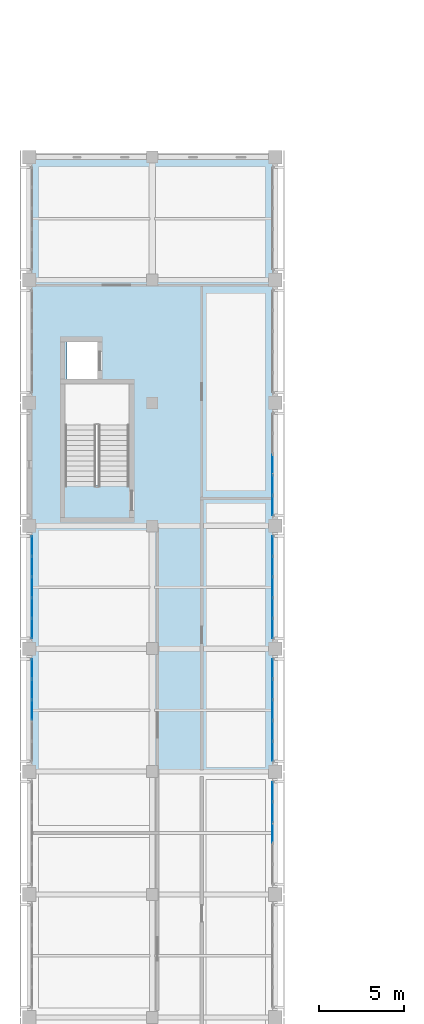
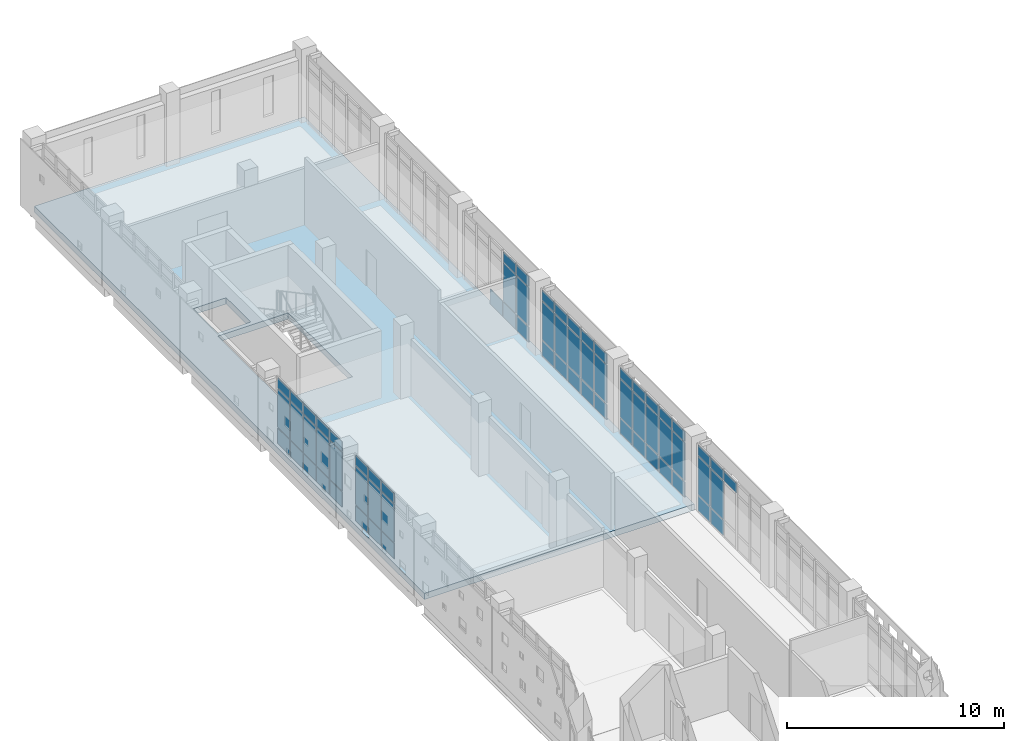
# One storey, part 16 of 33: 68 plates, 1 slab, 6 elements without a shape of their own.
"""IFC4 building model written with IfcOpenShell, lengths in metres."""

from ifc_helpers import new_model, si_unit, direction, frame, origin, origin_2d, place, context, subcontext, project, spatial, polyline, rectangle, outline, extrude, material, layer, layer_set, type_object, element, aggregate, save


model = new_model("IFC4")

# Units and contexts
model_context = context("Model", 3, precision=1e-05, world=origin(), true_north=direction((0.0, 1.0)))
body_context = subcontext(model_context, "Body", "Model", "MODEL_VIEW")
ifc_project = project(units=[si_unit("LENGTHUNIT", "METRE"), si_unit("AREAUNIT", "SQUARE_METRE"), si_unit("VOLUMEUNIT", "CUBIC_METRE"), si_unit("PLANEANGLEUNIT", "RADIAN"), si_unit("MASSUNIT", "GRAM", prefix="KILO")], contexts=[model_context])

# Site, building, storey
site_placement = place(None, origin())
site = spatial("IfcSite", under=ifc_project, at=site_placement, CompositionType="ELEMENT")
building_placement = place(site_placement, origin())
building = spatial("IfcBuilding", under=site, at=building_placement, Name="Valkovuoma Quantum and Materials Research Institute", CompositionType="ELEMENT")
storey_placement = place(building_placement, frame((0.0, 0.0, 21.43994140625)))
storey = spatial("IfcBuildingStorey", under=building, at=storey_placement, Name="L05", CompositionType="ELEMENT", Elevation=21.43994140625)

# Curtain wall, plates
ifc_material_1 = material(Name="Thermally broken aluminium and triple low-E glazing", Category="aluminium")
ifc_layer_1 = layer(ifc_material_1, 0.219970703125)
ifc_layer_set_1 = layer_set([ifc_layer_1], Name="Thermally broken aluminium and triple low-E glazing")
curtain_wall_type = type_object("IfcCurtainWallType", Name="CW-CW-01", PredefinedType="NOTDEFINED", material=ifc_layer_set_1)
curtain_wall_1_placement = place(storey_placement, origin())
curtain_wall_1 = element("IfcCurtainWall", 1, at=curtain_wall_1_placement, inside=storey, type_object=curtain_wall_type, Name="L05 curtain wall 064", PredefinedType="NOTDEFINED")
ifc_material_2 = material(Name="Triple low-E argon insulating glass", Category="glass")
ifc_layer_2 = layer(ifc_material_2, 0.035888671875)
ifc_layer_set_2 = layer_set([ifc_layer_2], Name="Triple low-E argon insulating glass")
plate_type_1 = type_object("IfcPlateType", Name="CWPanel-CWP-01", PredefinedType="CURTAIN_PANEL", material=ifc_layer_set_2)
plate_1_placement = place(storey_placement, frame((0.14990234375, 61.199951171875, 0.06494140625), z_axis=(0.0, 0.0, 1.0), x_axis=(0.0, 1.0, 0.0)))
plate_1 = element("IfcPlate", 2, at=plate_1_placement, type_object=plate_type_1, Name="CW-01 panel 3.1", PredefinedType="CURTAIN_PANEL", context=body_context, shape_type="SweptSolid", body=[
    extrude(rectangle(XDim=1.152099609375, YDim=0.035888671875, at=origin_2d()), origin(), (0.0, 0.0, 1.0), 0.8525390625),
])
plate_2_placement = place(storey_placement, frame((0.14990234375, 61.199951171875, 0.982666015625), z_axis=(0.0, 0.0, 1.0), x_axis=(0.0, 1.0, 0.0)))
plate_2 = element("IfcPlate", 3, at=plate_2_placement, type_object=plate_type_1, Name="CW-01 panel 3.2", PredefinedType="CURTAIN_PANEL", context=body_context, shape_type="SweptSolid", body=[
    extrude(rectangle(XDim=1.152099609375, YDim=0.035888671875, at=origin_2d()), origin(), (0.0, 0.0, 1.0), 2.14501953125),
])
plate_3_placement = place(storey_placement, frame((0.14990234375, 61.199951171875, 3.1923828125), z_axis=(0.0, 0.0, 1.0), x_axis=(0.0, 1.0, 0.0)))
plate_3 = element("IfcPlate", 4, at=plate_3_placement, type_object=plate_type_1, Name="CW-01 panel 3.3", PredefinedType="CURTAIN_PANEL", context=body_context, shape_type="SweptSolid", body=[
    extrude(rectangle(XDim=1.152099609375, YDim=0.035888671875, at=origin_2d()), origin(), (0.0, 0.0, 1.0), 0.552490234375),
])
plate_4_placement = place(storey_placement, frame((0.14990234375, 62.417236328125, 0.06494140625), z_axis=(0.0, 0.0, 1.0), x_axis=(0.0, 1.0, 0.0)))
plate_4 = element("IfcPlate", 5, at=plate_4_placement, type_object=plate_type_1, Name="CW-01 panel 4.1", PredefinedType="CURTAIN_PANEL", context=body_context, shape_type="SweptSolid", body=[
    extrude(rectangle(XDim=1.152099609375, YDim=0.035888671875, at=origin_2d()), origin(), (0.0, 0.0, 1.0), 0.8525390625),
])
plate_5_placement = place(storey_placement, frame((0.14990234375, 62.417236328125, 0.982666015625), z_axis=(0.0, 0.0, 1.0), x_axis=(0.0, 1.0, 0.0)))
plate_5 = element("IfcPlate", 6, at=plate_5_placement, type_object=plate_type_1, Name="CW-01 panel 4.2", PredefinedType="CURTAIN_PANEL", context=body_context, shape_type="SweptSolid", body=[
    extrude(rectangle(XDim=1.152099609375, YDim=0.035888671875, at=origin_2d()), origin(), (0.0, 0.0, 1.0), 2.14501953125),
])
plate_6_placement = place(storey_placement, frame((0.14990234375, 62.417236328125, 3.1923828125), z_axis=(0.0, 0.0, 1.0), x_axis=(0.0, 1.0, 0.0)))
plate_6 = element("IfcPlate", 7, at=plate_6_placement, type_object=plate_type_1, Name="CW-01 panel 4.3", PredefinedType="CURTAIN_PANEL", context=body_context, shape_type="SweptSolid", body=[
    extrude(rectangle(XDim=1.152099609375, YDim=0.035888671875, at=origin_2d()), origin(), (0.0, 0.0, 1.0), 0.552490234375),
])
plate_7_placement = place(storey_placement, frame((0.14990234375, 63.6181640625, 0.06494140625), z_axis=(0.0, 0.0, 1.0), x_axis=(0.0, 1.0, 0.0)))
plate_7 = element("IfcPlate", 8, at=plate_7_placement, type_object=plate_type_1, Name="CW-01 panel 5.1", PredefinedType="CURTAIN_PANEL", context=body_context, shape_type="SweptSolid", body=[
    extrude(rectangle(XDim=1.11962890625, YDim=0.035888671875, at=origin_2d()), origin(), (0.0, 0.0, 1.0), 0.8525390625),
])
plate_8_placement = place(storey_placement, frame((0.14990234375, 63.6181640625, 0.982666015625), z_axis=(0.0, 0.0, 1.0), x_axis=(0.0, 1.0, 0.0)))
plate_8 = element("IfcPlate", 9, at=plate_8_placement, type_object=plate_type_1, Name="CW-01 panel 5.2", PredefinedType="CURTAIN_PANEL", context=body_context, shape_type="SweptSolid", body=[
    extrude(rectangle(XDim=1.11962890625, YDim=0.035888671875, at=origin_2d()), origin(), (0.0, 0.0, 1.0), 2.14501953125),
])
plate_9_placement = place(storey_placement, frame((0.14990234375, 63.6181640625, 3.1923828125), z_axis=(0.0, 0.0, 1.0), x_axis=(0.0, 1.0, 0.0)))
plate_9 = element("IfcPlate", 10, at=plate_9_placement, type_object=plate_type_1, Name="CW-01 panel 5.3", PredefinedType="CURTAIN_PANEL", context=body_context, shape_type="SweptSolid", body=[
    extrude(rectangle(XDim=1.11962890625, YDim=0.035888671875, at=origin_2d()), origin(), (0.0, 0.0, 1.0), 0.552490234375),
])
aggregate(curtain_wall_1, [plate_1, plate_2, plate_3, plate_4, plate_5, plate_6, plate_7, plate_8, plate_9])

curtain_wall_2_placement = place(storey_placement, origin())
curtain_wall_2 = element("IfcCurtainWall", 11, at=curtain_wall_2_placement, inside=storey, type_object=curtain_wall_type, Name="L05 curtain wall 066", PredefinedType="NOTDEFINED")
plate_10_placement = place(storey_placement, frame((0.14990234375, 65.98193359375, 0.06494140625), z_axis=(0.0, 0.0, 1.0), x_axis=(0.0, 1.0, 0.0)))
plate_10 = element("IfcPlate", 12, at=plate_10_placement, type_object=plate_type_1, Name="CW-01 panel 1.1", PredefinedType="CURTAIN_PANEL", context=body_context, shape_type="SweptSolid", body=[
    extrude(rectangle(XDim=1.11962890625, YDim=0.035888671875, at=origin_2d()), origin(), (0.0, 0.0, 1.0), 0.8525390625),
])
plate_11_placement = place(storey_placement, frame((0.14990234375, 65.98193359375, 0.982666015625), z_axis=(0.0, 0.0, 1.0), x_axis=(0.0, 1.0, 0.0)))
plate_11 = element("IfcPlate", 13, at=plate_11_placement, type_object=plate_type_1, Name="CW-01 panel 1.2", PredefinedType="CURTAIN_PANEL", context=body_context, shape_type="SweptSolid", body=[
    extrude(rectangle(XDim=1.11962890625, YDim=0.035888671875, at=origin_2d()), origin(), (0.0, 0.0, 1.0), 2.14501953125),
])
plate_12_placement = place(storey_placement, frame((0.14990234375, 65.98193359375, 3.1923828125), z_axis=(0.0, 0.0, 1.0), x_axis=(0.0, 1.0, 0.0)))
plate_12 = element("IfcPlate", 14, at=plate_12_placement, type_object=plate_type_1, Name="CW-01 panel 1.3", PredefinedType="CURTAIN_PANEL", context=body_context, shape_type="SweptSolid", body=[
    extrude(rectangle(XDim=1.11962890625, YDim=0.035888671875, at=origin_2d()), origin(), (0.0, 0.0, 1.0), 0.552490234375),
])
plate_13_placement = place(storey_placement, frame((0.14990234375, 67.182861328125, 0.06494140625), z_axis=(0.0, 0.0, 1.0), x_axis=(0.0, 1.0, 0.0)))
plate_13 = element("IfcPlate", 15, at=plate_13_placement, type_object=plate_type_1, Name="CW-01 panel 2.1", PredefinedType="CURTAIN_PANEL", context=body_context, shape_type="SweptSolid", body=[
    extrude(rectangle(XDim=1.152099609375, YDim=0.035888671875, at=origin_2d()), origin(), (0.0, 0.0, 1.0), 0.8525390625),
])
plate_14_placement = place(storey_placement, frame((0.14990234375, 67.182861328125, 0.982666015625), z_axis=(0.0, 0.0, 1.0), x_axis=(0.0, 1.0, 0.0)))
plate_14 = element("IfcPlate", 16, at=plate_14_placement, type_object=plate_type_1, Name="CW-01 panel 2.2", PredefinedType="CURTAIN_PANEL", context=body_context, shape_type="SweptSolid", body=[
    extrude(rectangle(XDim=1.152099609375, YDim=0.035888671875, at=origin_2d()), origin(), (0.0, 0.0, 1.0), 2.14501953125),
])
plate_15_placement = place(storey_placement, frame((0.14990234375, 67.182861328125, 3.1923828125), z_axis=(0.0, 0.0, 1.0), x_axis=(0.0, 1.0, 0.0)))
plate_15 = element("IfcPlate", 17, at=plate_15_placement, type_object=plate_type_1, Name="CW-01 panel 2.3", PredefinedType="CURTAIN_PANEL", context=body_context, shape_type="SweptSolid", body=[
    extrude(rectangle(XDim=1.152099609375, YDim=0.035888671875, at=origin_2d()), origin(), (0.0, 0.0, 1.0), 0.552490234375),
])
plate_16_placement = place(storey_placement, frame((0.14990234375, 68.39990234375, 0.06494140625), z_axis=(0.0, 0.0, 1.0), x_axis=(0.0, 1.0, 0.0)))
plate_16 = element("IfcPlate", 18, at=plate_16_placement, type_object=plate_type_1, Name="CW-01 panel 3.1", PredefinedType="CURTAIN_PANEL", context=body_context, shape_type="SweptSolid", body=[
    extrude(rectangle(XDim=1.152099609375, YDim=0.035888671875, at=origin_2d()), origin(), (0.0, 0.0, 1.0), 0.8525390625),
])
plate_17_placement = place(storey_placement, frame((0.14990234375, 68.39990234375, 0.982666015625), z_axis=(0.0, 0.0, 1.0), x_axis=(0.0, 1.0, 0.0)))
plate_17 = element("IfcPlate", 19, at=plate_17_placement, type_object=plate_type_1, Name="CW-01 panel 3.2", PredefinedType="CURTAIN_PANEL", context=body_context, shape_type="SweptSolid", body=[
    extrude(rectangle(XDim=1.152099609375, YDim=0.035888671875, at=origin_2d()), origin(), (0.0, 0.0, 1.0), 2.14501953125),
])
plate_18_placement = place(storey_placement, frame((0.14990234375, 68.39990234375, 3.1923828125), z_axis=(0.0, 0.0, 1.0), x_axis=(0.0, 1.0, 0.0)))
plate_18 = element("IfcPlate", 20, at=plate_18_placement, type_object=plate_type_1, Name="CW-01 panel 3.3", PredefinedType="CURTAIN_PANEL", context=body_context, shape_type="SweptSolid", body=[
    extrude(rectangle(XDim=1.152099609375, YDim=0.035888671875, at=origin_2d()), origin(), (0.0, 0.0, 1.0), 0.552490234375),
])
plate_19_placement = place(storey_placement, frame((0.14990234375, 69.6171875, 0.06494140625), z_axis=(0.0, 0.0, 1.0), x_axis=(0.0, 1.0, 0.0)))
plate_19 = element("IfcPlate", 21, at=plate_19_placement, type_object=plate_type_1, Name="CW-01 panel 4.1", PredefinedType="CURTAIN_PANEL", context=body_context, shape_type="SweptSolid", body=[
    extrude(rectangle(XDim=1.152099609375, YDim=0.035888671875, at=origin_2d()), origin(), (0.0, 0.0, 1.0), 0.8525390625),
])
plate_20_placement = place(storey_placement, frame((0.14990234375, 69.6171875, 0.982666015625), z_axis=(0.0, 0.0, 1.0), x_axis=(0.0, 1.0, 0.0)))
plate_20 = element("IfcPlate", 22, at=plate_20_placement, type_object=plate_type_1, Name="CW-01 panel 4.2", PredefinedType="CURTAIN_PANEL", context=body_context, shape_type="SweptSolid", body=[
    extrude(rectangle(XDim=1.152099609375, YDim=0.035888671875, at=origin_2d()), origin(), (0.0, 0.0, 1.0), 2.14501953125),
])
plate_21_placement = place(storey_placement, frame((0.14990234375, 69.6171875, 3.1923828125), z_axis=(0.0, 0.0, 1.0), x_axis=(0.0, 1.0, 0.0)))
plate_21 = element("IfcPlate", 23, at=plate_21_placement, type_object=plate_type_1, Name="CW-01 panel 4.3", PredefinedType="CURTAIN_PANEL", context=body_context, shape_type="SweptSolid", body=[
    extrude(rectangle(XDim=1.152099609375, YDim=0.035888671875, at=origin_2d()), origin(), (0.0, 0.0, 1.0), 0.552490234375),
])
plate_22_placement = place(storey_placement, frame((0.14990234375, 70.818115234375, 0.06494140625), z_axis=(0.0, 0.0, 1.0), x_axis=(0.0, 1.0, 0.0)))
plate_22 = element("IfcPlate", 24, at=plate_22_placement, type_object=plate_type_1, Name="CW-01 panel 5.1", PredefinedType="CURTAIN_PANEL", context=body_context, shape_type="SweptSolid", body=[
    extrude(rectangle(XDim=1.11962890625, YDim=0.035888671875, at=origin_2d()), origin(), (0.0, 0.0, 1.0), 0.8525390625),
])
plate_23_placement = place(storey_placement, frame((0.14990234375, 70.818115234375, 0.982666015625), z_axis=(0.0, 0.0, 1.0), x_axis=(0.0, 1.0, 0.0)))
plate_23 = element("IfcPlate", 25, at=plate_23_placement, type_object=plate_type_1, Name="CW-01 panel 5.2", PredefinedType="CURTAIN_PANEL", context=body_context, shape_type="SweptSolid", body=[
    extrude(rectangle(XDim=1.11962890625, YDim=0.035888671875, at=origin_2d()), origin(), (0.0, 0.0, 1.0), 2.14501953125),
])
plate_24_placement = place(storey_placement, frame((0.14990234375, 70.818115234375, 3.1923828125), z_axis=(0.0, 0.0, 1.0), x_axis=(0.0, 1.0, 0.0)))
plate_24 = element("IfcPlate", 26, at=plate_24_placement, type_object=plate_type_1, Name="CW-01 panel 5.3", PredefinedType="CURTAIN_PANEL", context=body_context, shape_type="SweptSolid", body=[
    extrude(rectangle(XDim=1.11962890625, YDim=0.035888671875, at=origin_2d()), origin(), (0.0, 0.0, 1.0), 0.552490234375),
])
aggregate(curtain_wall_2, [plate_10, plate_11, plate_12, plate_13, plate_14, plate_15, plate_16, plate_17, plate_18, plate_19, plate_20, plate_21, plate_22, plate_23, plate_24])

curtain_wall_3_placement = place(storey_placement, origin())
curtain_wall_3 = element("IfcCurtainWall", 27, at=curtain_wall_3_placement, inside=storey, type_object=curtain_wall_type, Name="L05 curtain wall 063", PredefinedType="NOTDEFINED")
ifc_material_3 = material(Name="Triple low-E argon insulating glass", Category="glass")
ifc_layer_3 = layer(ifc_material_3, 0.0419921875)
ifc_layer_set_3 = layer_set([ifc_layer_3], Name="Triple low-E argon insulating glass")
plate_type_2 = type_object("IfcPlateType", Name="CWPanel-CWP-02", PredefinedType="CURTAIN_PANEL", material=ifc_layer_set_3)
plate_25_placement = place(storey_placement, frame((14.25, 54.0, 3.1923828125), z_axis=(0.0, 0.0, 1.0), x_axis=(0.0, 1.0, 0.0)))
plate_25 = element("IfcPlate", 28, at=plate_25_placement, type_object=plate_type_2, Name="CW-01 panel 3.3", PredefinedType="CURTAIN_PANEL", context=body_context, shape_type="SweptSolid", body=[
    extrude(rectangle(XDim=1.152099609375, YDim=0.0419921875, at=origin_2d()), origin(), (0.0, 0.0, 1.0), 0.552490234375),
])
plate_26_placement = place(storey_placement, frame((14.25, 55.217041015625, 0.06494140625), z_axis=(0.0, 0.0, 1.0), x_axis=(0.0, 1.0, 0.0)))
plate_26 = element("IfcPlate", 29, at=plate_26_placement, type_object=plate_type_2, Name="CW-01 panel 4.1", PredefinedType="CURTAIN_PANEL", context=body_context, shape_type="SweptSolid", body=[
    extrude(rectangle(XDim=1.152099609375, YDim=0.0419921875, at=origin_2d()), origin(), (0.0, 0.0, 1.0), 0.8525390625),
])
plate_27_placement = place(storey_placement, frame((14.25, 55.217041015625, 0.982666015625), z_axis=(0.0, 0.0, 1.0), x_axis=(0.0, 1.0, 0.0)))
plate_27 = element("IfcPlate", 30, at=plate_27_placement, type_object=plate_type_2, Name="CW-01 panel 4.2", PredefinedType="CURTAIN_PANEL", context=body_context, shape_type="SweptSolid", body=[
    extrude(rectangle(XDim=1.152099609375, YDim=0.0419921875, at=origin_2d()), origin(), (0.0, 0.0, 1.0), 2.14501953125),
])
plate_28_placement = place(storey_placement, frame((14.25, 55.217041015625, 3.1923828125), z_axis=(0.0, 0.0, 1.0), x_axis=(0.0, 1.0, 0.0)))
plate_28 = element("IfcPlate", 31, at=plate_28_placement, type_object=plate_type_2, Name="CW-01 panel 4.3", PredefinedType="CURTAIN_PANEL", context=body_context, shape_type="SweptSolid", body=[
    extrude(rectangle(XDim=1.152099609375, YDim=0.0419921875, at=origin_2d()), origin(), (0.0, 0.0, 1.0), 0.552490234375),
])
plate_29_placement = place(storey_placement, frame((14.25, 56.41796875, 0.06494140625), z_axis=(0.0, 0.0, 1.0), x_axis=(0.0, 1.0, 0.0)))
plate_29 = element("IfcPlate", 32, at=plate_29_placement, type_object=plate_type_2, Name="CW-01 panel 5.1", PredefinedType="CURTAIN_PANEL", context=body_context, shape_type="SweptSolid", body=[
    extrude(rectangle(XDim=1.11962890625, YDim=0.0419921875, at=origin_2d()), origin(), (0.0, 0.0, 1.0), 0.8525390625),
])
plate_30_placement = place(storey_placement, frame((14.25, 56.41796875, 0.982666015625), z_axis=(0.0, 0.0, 1.0), x_axis=(0.0, 1.0, 0.0)))
plate_30 = element("IfcPlate", 33, at=plate_30_placement, type_object=plate_type_2, Name="CW-01 panel 5.2", PredefinedType="CURTAIN_PANEL", context=body_context, shape_type="SweptSolid", body=[
    extrude(rectangle(XDim=1.11962890625, YDim=0.0419921875, at=origin_2d()), origin(), (0.0, 0.0, 1.0), 2.14501953125),
])
plate_31_placement = place(storey_placement, frame((14.25, 56.41796875, 3.1923828125), z_axis=(0.0, 0.0, 1.0), x_axis=(0.0, 1.0, 0.0)))
plate_31 = element("IfcPlate", 34, at=plate_31_placement, type_object=plate_type_2, Name="CW-01 panel 5.3", PredefinedType="CURTAIN_PANEL", context=body_context, shape_type="SweptSolid", body=[
    extrude(rectangle(XDim=1.11962890625, YDim=0.0419921875, at=origin_2d()), origin(), (0.0, 0.0, 1.0), 0.552490234375),
])
aggregate(curtain_wall_3, [plate_25, plate_26, plate_27, plate_28, plate_29, plate_30, plate_31])

curtain_wall_4_placement = place(storey_placement, origin())
curtain_wall_4 = element("IfcCurtainWall", 35, at=curtain_wall_4_placement, inside=storey, type_object=curtain_wall_type, Name="L05 curtain wall 065", PredefinedType="NOTDEFINED")
plate_32_placement = place(storey_placement, frame((14.25, 58.781982421875, 0.06494140625), z_axis=(0.0, 0.0, 1.0), x_axis=(0.0, 1.0, 0.0)))
plate_32 = element("IfcPlate", 36, at=plate_32_placement, type_object=plate_type_2, Name="CW-01 panel 1.1", PredefinedType="CURTAIN_PANEL", context=body_context, shape_type="SweptSolid", body=[
    extrude(rectangle(XDim=1.11962890625, YDim=0.0419921875, at=origin_2d()), origin(), (0.0, 0.0, 1.0), 0.8525390625),
])
plate_33_placement = place(storey_placement, frame((14.25, 58.781982421875, 0.982666015625), z_axis=(0.0, 0.0, 1.0), x_axis=(0.0, 1.0, 0.0)))
plate_33 = element("IfcPlate", 37, at=plate_33_placement, type_object=plate_type_2, Name="CW-01 panel 1.2", PredefinedType="CURTAIN_PANEL", context=body_context, shape_type="SweptSolid", body=[
    extrude(rectangle(XDim=1.11962890625, YDim=0.0419921875, at=origin_2d()), origin(), (0.0, 0.0, 1.0), 2.14501953125),
])
plate_34_placement = place(storey_placement, frame((14.25, 58.781982421875, 3.1923828125), z_axis=(0.0, 0.0, 1.0), x_axis=(0.0, 1.0, 0.0)))
plate_34 = element("IfcPlate", 38, at=plate_34_placement, type_object=plate_type_2, Name="CW-01 panel 1.3", PredefinedType="CURTAIN_PANEL", context=body_context, shape_type="SweptSolid", body=[
    extrude(rectangle(XDim=1.11962890625, YDim=0.0419921875, at=origin_2d()), origin(), (0.0, 0.0, 1.0), 0.552490234375),
])
plate_35_placement = place(storey_placement, frame((14.25, 59.98291015625, 0.06494140625), z_axis=(0.0, 0.0, 1.0), x_axis=(0.0, 1.0, 0.0)))
plate_35 = element("IfcPlate", 39, at=plate_35_placement, type_object=plate_type_2, Name="CW-01 panel 2.1", PredefinedType="CURTAIN_PANEL", context=body_context, shape_type="SweptSolid", body=[
    extrude(rectangle(XDim=1.152099609375, YDim=0.0419921875, at=origin_2d()), origin(), (0.0, 0.0, 1.0), 0.8525390625),
])
plate_36_placement = place(storey_placement, frame((14.25, 59.98291015625, 0.982666015625), z_axis=(0.0, 0.0, 1.0), x_axis=(0.0, 1.0, 0.0)))
plate_36 = element("IfcPlate", 40, at=plate_36_placement, type_object=plate_type_2, Name="CW-01 panel 2.2", PredefinedType="CURTAIN_PANEL", context=body_context, shape_type="SweptSolid", body=[
    extrude(rectangle(XDim=1.152099609375, YDim=0.0419921875, at=origin_2d()), origin(), (0.0, 0.0, 1.0), 2.14501953125),
])
plate_37_placement = place(storey_placement, frame((14.25, 59.98291015625, 3.1923828125), z_axis=(0.0, 0.0, 1.0), x_axis=(0.0, 1.0, 0.0)))
plate_37 = element("IfcPlate", 41, at=plate_37_placement, type_object=plate_type_2, Name="CW-01 panel 2.3", PredefinedType="CURTAIN_PANEL", context=body_context, shape_type="SweptSolid", body=[
    extrude(rectangle(XDim=1.152099609375, YDim=0.0419921875, at=origin_2d()), origin(), (0.0, 0.0, 1.0), 0.552490234375),
])
plate_38_placement = place(storey_placement, frame((14.25, 61.199951171875, 0.06494140625), z_axis=(0.0, 0.0, 1.0), x_axis=(0.0, 1.0, 0.0)))
plate_38 = element("IfcPlate", 42, at=plate_38_placement, type_object=plate_type_2, Name="CW-01 panel 3.1", PredefinedType="CURTAIN_PANEL", context=body_context, shape_type="SweptSolid", body=[
    extrude(rectangle(XDim=1.152099609375, YDim=0.0419921875, at=origin_2d()), origin(), (0.0, 0.0, 1.0), 0.8525390625),
])
plate_39_placement = place(storey_placement, frame((14.25, 61.199951171875, 0.982666015625), z_axis=(0.0, 0.0, 1.0), x_axis=(0.0, 1.0, 0.0)))
plate_39 = element("IfcPlate", 43, at=plate_39_placement, type_object=plate_type_2, Name="CW-01 panel 3.2", PredefinedType="CURTAIN_PANEL", context=body_context, shape_type="SweptSolid", body=[
    extrude(rectangle(XDim=1.152099609375, YDim=0.0419921875, at=origin_2d()), origin(), (0.0, 0.0, 1.0), 2.14501953125),
])
plate_40_placement = place(storey_placement, frame((14.25, 61.199951171875, 3.1923828125), z_axis=(0.0, 0.0, 1.0), x_axis=(0.0, 1.0, 0.0)))
plate_40 = element("IfcPlate", 44, at=plate_40_placement, type_object=plate_type_2, Name="CW-01 panel 3.3", PredefinedType="CURTAIN_PANEL", context=body_context, shape_type="SweptSolid", body=[
    extrude(rectangle(XDim=1.152099609375, YDim=0.0419921875, at=origin_2d()), origin(), (0.0, 0.0, 1.0), 0.552490234375),
])
plate_41_placement = place(storey_placement, frame((14.25, 62.417236328125, 0.06494140625), z_axis=(0.0, 0.0, 1.0), x_axis=(0.0, 1.0, 0.0)))
plate_41 = element("IfcPlate", 45, at=plate_41_placement, type_object=plate_type_2, Name="CW-01 panel 4.1", PredefinedType="CURTAIN_PANEL", context=body_context, shape_type="SweptSolid", body=[
    extrude(rectangle(XDim=1.152099609375, YDim=0.0419921875, at=origin_2d()), origin(), (0.0, 0.0, 1.0), 0.8525390625),
])
plate_42_placement = place(storey_placement, frame((14.25, 62.417236328125, 0.982666015625), z_axis=(0.0, 0.0, 1.0), x_axis=(0.0, 1.0, 0.0)))
plate_42 = element("IfcPlate", 46, at=plate_42_placement, type_object=plate_type_2, Name="CW-01 panel 4.2", PredefinedType="CURTAIN_PANEL", context=body_context, shape_type="SweptSolid", body=[
    extrude(rectangle(XDim=1.152099609375, YDim=0.0419921875, at=origin_2d()), origin(), (0.0, 0.0, 1.0), 2.14501953125),
])
plate_43_placement = place(storey_placement, frame((14.25, 62.417236328125, 3.1923828125), z_axis=(0.0, 0.0, 1.0), x_axis=(0.0, 1.0, 0.0)))
plate_43 = element("IfcPlate", 47, at=plate_43_placement, type_object=plate_type_2, Name="CW-01 panel 4.3", PredefinedType="CURTAIN_PANEL", context=body_context, shape_type="SweptSolid", body=[
    extrude(rectangle(XDim=1.152099609375, YDim=0.0419921875, at=origin_2d()), origin(), (0.0, 0.0, 1.0), 0.552490234375),
])
plate_44_placement = place(storey_placement, frame((14.25, 63.6181640625, 0.06494140625), z_axis=(0.0, 0.0, 1.0), x_axis=(0.0, 1.0, 0.0)))
plate_44 = element("IfcPlate", 48, at=plate_44_placement, type_object=plate_type_2, Name="CW-01 panel 5.1", PredefinedType="CURTAIN_PANEL", context=body_context, shape_type="SweptSolid", body=[
    extrude(rectangle(XDim=1.11962890625, YDim=0.0419921875, at=origin_2d()), origin(), (0.0, 0.0, 1.0), 0.8525390625),
])
plate_45_placement = place(storey_placement, frame((14.25, 63.6181640625, 0.982666015625), z_axis=(0.0, 0.0, 1.0), x_axis=(0.0, 1.0, 0.0)))
plate_45 = element("IfcPlate", 49, at=plate_45_placement, type_object=plate_type_2, Name="CW-01 panel 5.2", PredefinedType="CURTAIN_PANEL", context=body_context, shape_type="SweptSolid", body=[
    extrude(rectangle(XDim=1.11962890625, YDim=0.0419921875, at=origin_2d()), origin(), (0.0, 0.0, 1.0), 2.14501953125),
])
plate_46_placement = place(storey_placement, frame((14.25, 63.6181640625, 3.1923828125), z_axis=(0.0, 0.0, 1.0), x_axis=(0.0, 1.0, 0.0)))
plate_46 = element("IfcPlate", 50, at=plate_46_placement, type_object=plate_type_2, Name="CW-01 panel 5.3", PredefinedType="CURTAIN_PANEL", context=body_context, shape_type="SweptSolid", body=[
    extrude(rectangle(XDim=1.11962890625, YDim=0.0419921875, at=origin_2d()), origin(), (0.0, 0.0, 1.0), 0.552490234375),
])
aggregate(curtain_wall_4, [plate_32, plate_33, plate_34, plate_35, plate_36, plate_37, plate_38, plate_39, plate_40, plate_41, plate_42, plate_43, plate_44, plate_45, plate_46])

curtain_wall_5_placement = place(storey_placement, origin())
curtain_wall_5 = element("IfcCurtainWall", 51, at=curtain_wall_5_placement, inside=storey, type_object=curtain_wall_type, Name="L05 curtain wall 067", PredefinedType="NOTDEFINED")
plate_47_placement = place(storey_placement, frame((14.25, 65.98193359375, 0.06494140625), z_axis=(0.0, 0.0, 1.0), x_axis=(0.0, 1.0, 0.0)))
plate_47 = element("IfcPlate", 52, at=plate_47_placement, type_object=plate_type_2, Name="CW-01 panel 1.1", PredefinedType="CURTAIN_PANEL", context=body_context, shape_type="SweptSolid", body=[
    extrude(rectangle(XDim=1.11962890625, YDim=0.0419921875, at=origin_2d()), origin(), (0.0, 0.0, 1.0), 0.8525390625),
])
plate_48_placement = place(storey_placement, frame((14.25, 65.98193359375, 0.982666015625), z_axis=(0.0, 0.0, 1.0), x_axis=(0.0, 1.0, 0.0)))
plate_48 = element("IfcPlate", 53, at=plate_48_placement, type_object=plate_type_2, Name="CW-01 panel 1.2", PredefinedType="CURTAIN_PANEL", context=body_context, shape_type="SweptSolid", body=[
    extrude(rectangle(XDim=1.11962890625, YDim=0.0419921875, at=origin_2d()), origin(), (0.0, 0.0, 1.0), 2.14501953125),
])
plate_49_placement = place(storey_placement, frame((14.25, 65.98193359375, 3.1923828125), z_axis=(0.0, 0.0, 1.0), x_axis=(0.0, 1.0, 0.0)))
plate_49 = element("IfcPlate", 54, at=plate_49_placement, type_object=plate_type_2, Name="CW-01 panel 1.3", PredefinedType="CURTAIN_PANEL", context=body_context, shape_type="SweptSolid", body=[
    extrude(rectangle(XDim=1.11962890625, YDim=0.0419921875, at=origin_2d()), origin(), (0.0, 0.0, 1.0), 0.552490234375),
])
plate_50_placement = place(storey_placement, frame((14.25, 67.182861328125, 0.06494140625), z_axis=(0.0, 0.0, 1.0), x_axis=(0.0, 1.0, 0.0)))
plate_50 = element("IfcPlate", 55, at=plate_50_placement, type_object=plate_type_2, Name="CW-01 panel 2.1", PredefinedType="CURTAIN_PANEL", context=body_context, shape_type="SweptSolid", body=[
    extrude(rectangle(XDim=1.152099609375, YDim=0.0419921875, at=origin_2d()), origin(), (0.0, 0.0, 1.0), 0.8525390625),
])
plate_51_placement = place(storey_placement, frame((14.25, 67.182861328125, 0.982666015625), z_axis=(0.0, 0.0, 1.0), x_axis=(0.0, 1.0, 0.0)))
plate_51 = element("IfcPlate", 56, at=plate_51_placement, type_object=plate_type_2, Name="CW-01 panel 2.2", PredefinedType="CURTAIN_PANEL", context=body_context, shape_type="SweptSolid", body=[
    extrude(rectangle(XDim=1.152099609375, YDim=0.0419921875, at=origin_2d()), origin(), (0.0, 0.0, 1.0), 2.14501953125),
])
plate_52_placement = place(storey_placement, frame((14.25, 67.182861328125, 3.1923828125), z_axis=(0.0, 0.0, 1.0), x_axis=(0.0, 1.0, 0.0)))
plate_52 = element("IfcPlate", 57, at=plate_52_placement, type_object=plate_type_2, Name="CW-01 panel 2.3", PredefinedType="CURTAIN_PANEL", context=body_context, shape_type="SweptSolid", body=[
    extrude(rectangle(XDim=1.152099609375, YDim=0.0419921875, at=origin_2d()), origin(), (0.0, 0.0, 1.0), 0.552490234375),
])
plate_53_placement = place(storey_placement, frame((14.25, 68.39990234375, 0.06494140625), z_axis=(0.0, 0.0, 1.0), x_axis=(0.0, 1.0, 0.0)))
plate_53 = element("IfcPlate", 58, at=plate_53_placement, type_object=plate_type_2, Name="CW-01 panel 3.1", PredefinedType="CURTAIN_PANEL", context=body_context, shape_type="SweptSolid", body=[
    extrude(rectangle(XDim=1.152099609375, YDim=0.0419921875, at=origin_2d()), origin(), (0.0, 0.0, 1.0), 0.8525390625),
])
plate_54_placement = place(storey_placement, frame((14.25, 68.39990234375, 0.982666015625), z_axis=(0.0, 0.0, 1.0), x_axis=(0.0, 1.0, 0.0)))
plate_54 = element("IfcPlate", 59, at=plate_54_placement, type_object=plate_type_2, Name="CW-01 panel 3.2", PredefinedType="CURTAIN_PANEL", context=body_context, shape_type="SweptSolid", body=[
    extrude(rectangle(XDim=1.152099609375, YDim=0.0419921875, at=origin_2d()), origin(), (0.0, 0.0, 1.0), 2.14501953125),
])
plate_55_placement = place(storey_placement, frame((14.25, 68.39990234375, 3.1923828125), z_axis=(0.0, 0.0, 1.0), x_axis=(0.0, 1.0, 0.0)))
plate_55 = element("IfcPlate", 60, at=plate_55_placement, type_object=plate_type_2, Name="CW-01 panel 3.3", PredefinedType="CURTAIN_PANEL", context=body_context, shape_type="SweptSolid", body=[
    extrude(rectangle(XDim=1.152099609375, YDim=0.0419921875, at=origin_2d()), origin(), (0.0, 0.0, 1.0), 0.552490234375),
])
plate_56_placement = place(storey_placement, frame((14.25, 69.6171875, 0.06494140625), z_axis=(0.0, 0.0, 1.0), x_axis=(0.0, 1.0, 0.0)))
plate_56 = element("IfcPlate", 61, at=plate_56_placement, type_object=plate_type_2, Name="CW-01 panel 4.1", PredefinedType="CURTAIN_PANEL", context=body_context, shape_type="SweptSolid", body=[
    extrude(rectangle(XDim=1.152099609375, YDim=0.0419921875, at=origin_2d()), origin(), (0.0, 0.0, 1.0), 0.8525390625),
])
plate_57_placement = place(storey_placement, frame((14.25, 69.6171875, 0.982666015625), z_axis=(0.0, 0.0, 1.0), x_axis=(0.0, 1.0, 0.0)))
plate_57 = element("IfcPlate", 62, at=plate_57_placement, type_object=plate_type_2, Name="CW-01 panel 4.2", PredefinedType="CURTAIN_PANEL", context=body_context, shape_type="SweptSolid", body=[
    extrude(rectangle(XDim=1.152099609375, YDim=0.0419921875, at=origin_2d()), origin(), (0.0, 0.0, 1.0), 2.14501953125),
])
plate_58_placement = place(storey_placement, frame((14.25, 69.6171875, 3.1923828125), z_axis=(0.0, 0.0, 1.0), x_axis=(0.0, 1.0, 0.0)))
plate_58 = element("IfcPlate", 63, at=plate_58_placement, type_object=plate_type_2, Name="CW-01 panel 4.3", PredefinedType="CURTAIN_PANEL", context=body_context, shape_type="SweptSolid", body=[
    extrude(rectangle(XDim=1.152099609375, YDim=0.0419921875, at=origin_2d()), origin(), (0.0, 0.0, 1.0), 0.552490234375),
])
plate_59_placement = place(storey_placement, frame((14.25, 70.818115234375, 0.06494140625), z_axis=(0.0, 0.0, 1.0), x_axis=(0.0, 1.0, 0.0)))
plate_59 = element("IfcPlate", 64, at=plate_59_placement, type_object=plate_type_2, Name="CW-01 panel 5.1", PredefinedType="CURTAIN_PANEL", context=body_context, shape_type="SweptSolid", body=[
    extrude(rectangle(XDim=1.11962890625, YDim=0.0419921875, at=origin_2d()), origin(), (0.0, 0.0, 1.0), 0.8525390625),
])
plate_60_placement = place(storey_placement, frame((14.25, 70.818115234375, 0.982666015625), z_axis=(0.0, 0.0, 1.0), x_axis=(0.0, 1.0, 0.0)))
plate_60 = element("IfcPlate", 65, at=plate_60_placement, type_object=plate_type_2, Name="CW-01 panel 5.2", PredefinedType="CURTAIN_PANEL", context=body_context, shape_type="SweptSolid", body=[
    extrude(rectangle(XDim=1.11962890625, YDim=0.0419921875, at=origin_2d()), origin(), (0.0, 0.0, 1.0), 2.14501953125),
])
plate_61_placement = place(storey_placement, frame((14.25, 70.818115234375, 3.1923828125), z_axis=(0.0, 0.0, 1.0), x_axis=(0.0, 1.0, 0.0)))
plate_61 = element("IfcPlate", 66, at=plate_61_placement, type_object=plate_type_2, Name="CW-01 panel 5.3", PredefinedType="CURTAIN_PANEL", context=body_context, shape_type="SweptSolid", body=[
    extrude(rectangle(XDim=1.11962890625, YDim=0.0419921875, at=origin_2d()), origin(), (0.0, 0.0, 1.0), 0.552490234375),
])
aggregate(curtain_wall_5, [plate_47, plate_48, plate_49, plate_50, plate_51, plate_52, plate_53, plate_54, plate_55, plate_56, plate_57, plate_58, plate_59, plate_60, plate_61])

curtain_wall_6_placement = place(storey_placement, origin())
curtain_wall_6 = element("IfcCurtainWall", 67, at=curtain_wall_6_placement, inside=storey, type_object=curtain_wall_type, Name="L05 curtain wall 068", PredefinedType="NOTDEFINED")
plate_62_placement = place(storey_placement, frame((14.25, 73.181884765625, 0.06494140625), z_axis=(0.0, 0.0, 1.0), x_axis=(0.0, 1.0, 0.0)))
plate_62 = element("IfcPlate", 68, at=plate_62_placement, type_object=plate_type_2, Name="CW-01 panel 1.1", PredefinedType="CURTAIN_PANEL", context=body_context, shape_type="SweptSolid", body=[
    extrude(rectangle(XDim=1.11962890625, YDim=0.0419921875, at=origin_2d()), origin(), (0.0, 0.0, 1.0), 0.8525390625),
])
plate_63_placement = place(storey_placement, frame((14.25, 73.181884765625, 0.982666015625), z_axis=(0.0, 0.0, 1.0), x_axis=(0.0, 1.0, 0.0)))
plate_63 = element("IfcPlate", 69, at=plate_63_placement, type_object=plate_type_2, Name="CW-01 panel 1.2", PredefinedType="CURTAIN_PANEL", context=body_context, shape_type="SweptSolid", body=[
    extrude(rectangle(XDim=1.11962890625, YDim=0.0419921875, at=origin_2d()), origin(), (0.0, 0.0, 1.0), 2.14501953125),
])
plate_64_placement = place(storey_placement, frame((14.25, 73.181884765625, 3.1923828125), z_axis=(0.0, 0.0, 1.0), x_axis=(0.0, 1.0, 0.0)))
plate_64 = element("IfcPlate", 70, at=plate_64_placement, type_object=plate_type_2, Name="CW-01 panel 1.3", PredefinedType="CURTAIN_PANEL", context=body_context, shape_type="SweptSolid", body=[
    extrude(rectangle(XDim=1.11962890625, YDim=0.0419921875, at=origin_2d()), origin(), (0.0, 0.0, 1.0), 0.552490234375),
])
plate_65_placement = place(storey_placement, frame((14.25, 74.3828125, 0.06494140625), z_axis=(0.0, 0.0, 1.0), x_axis=(0.0, 1.0, 0.0)))
plate_65 = element("IfcPlate", 71, at=plate_65_placement, type_object=plate_type_2, Name="CW-01 panel 2.1", PredefinedType="CURTAIN_PANEL", context=body_context, shape_type="SweptSolid", body=[
    extrude(rectangle(XDim=1.152099609375, YDim=0.0419921875, at=origin_2d()), origin(), (0.0, 0.0, 1.0), 0.8525390625),
])
plate_66_placement = place(storey_placement, frame((14.25, 74.3828125, 0.982666015625), z_axis=(0.0, 0.0, 1.0), x_axis=(0.0, 1.0, 0.0)))
plate_66 = element("IfcPlate", 72, at=plate_66_placement, type_object=plate_type_2, Name="CW-01 panel 2.2", PredefinedType="CURTAIN_PANEL", context=body_context, shape_type="SweptSolid", body=[
    extrude(rectangle(XDim=1.152099609375, YDim=0.0419921875, at=origin_2d()), origin(), (0.0, 0.0, 1.0), 2.14501953125),
])
plate_67_placement = place(storey_placement, frame((14.25, 74.3828125, 3.1923828125), z_axis=(0.0, 0.0, 1.0), x_axis=(0.0, 1.0, 0.0)))
plate_67 = element("IfcPlate", 73, at=plate_67_placement, type_object=plate_type_2, Name="CW-01 panel 2.3", PredefinedType="CURTAIN_PANEL", context=body_context, shape_type="SweptSolid", body=[
    extrude(rectangle(XDim=1.152099609375, YDim=0.0419921875, at=origin_2d()), origin(), (0.0, 0.0, 1.0), 0.552490234375),
])
plate_68_placement = place(storey_placement, frame((14.25, 75.60009765625, 0.06494140625), z_axis=(0.0, 0.0, 1.0), x_axis=(0.0, 1.0, 0.0)))
plate_68 = element("IfcPlate", 74, at=plate_68_placement, type_object=plate_type_2, Name="CW-01 panel 3.1", PredefinedType="CURTAIN_PANEL", context=body_context, shape_type="SweptSolid", body=[
    extrude(rectangle(XDim=1.152099609375, YDim=0.0419921875, at=origin_2d()), origin(), (0.0, 0.0, 1.0), 0.8525390625),
])
aggregate(curtain_wall_6, [plate_62, plate_63, plate_64, plate_65, plate_66, plate_67, plate_68])

# Slab
ifc_material_4 = material(Name="Concrete C40/50", Category="concrete")
ifc_layer_4 = layer(ifc_material_4, 0.35009765625)
ifc_layer_set_4 = layer_set([ifc_layer_4], Name="Concrete C40/50")
slab_type = type_object("IfcSlabType", Name="Slab-SL-FL350", PredefinedType="FLOOR", material=ifc_layer_set_4)
slab_placement = place(storey_placement, frame((0.0, 0.0, -0.349853515625)))
element("IfcSlab", 75, at=slab_placement, inside=storey, type_object=slab_type, Name="L05 vol5_drylab structural slab 2", PredefinedType="FLOOR", context=body_context, shape_type="SweptSolid", body=[
    extrude(outline(polyline([(0.0, 57.60009765625), (14.39990234375, 57.60009765625), (14.39990234375, 93.60009765625), (0.0, 93.60009765625), (0.0, 57.60009765625)]), holes=[polyline([(2.10009765625, 74.360107421875), (5.85009765625, 74.360107421875), (5.85009765625, 80.300048828125), (2.10009765625, 80.300048828125), (2.10009765625, 74.360107421875)]), polyline([(2.219970703125, 80.52001953125), (3.97998046875, 80.52001953125), (3.97998046875, 82.780029296875), (2.219970703125, 82.780029296875), (2.219970703125, 80.52001953125)])]), origin(), (0.0, 0.0, 1.0), 0.349853515625),
])

save(model, "model.ifc")
